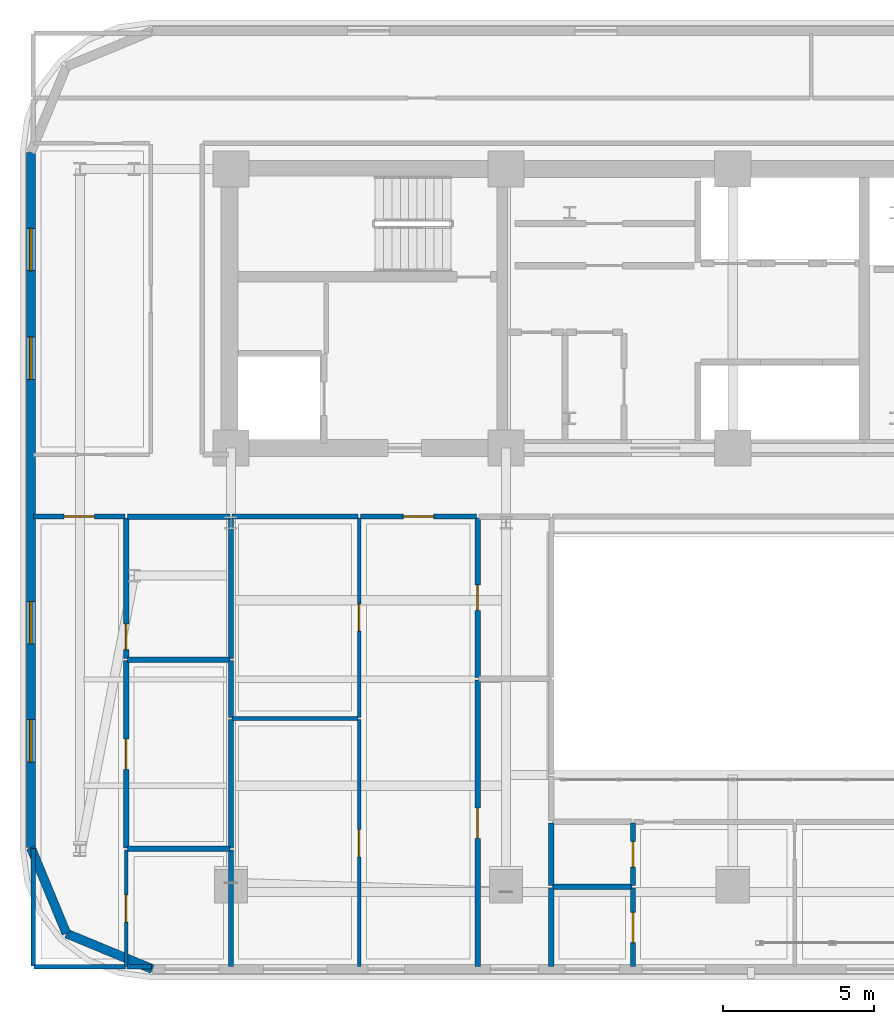
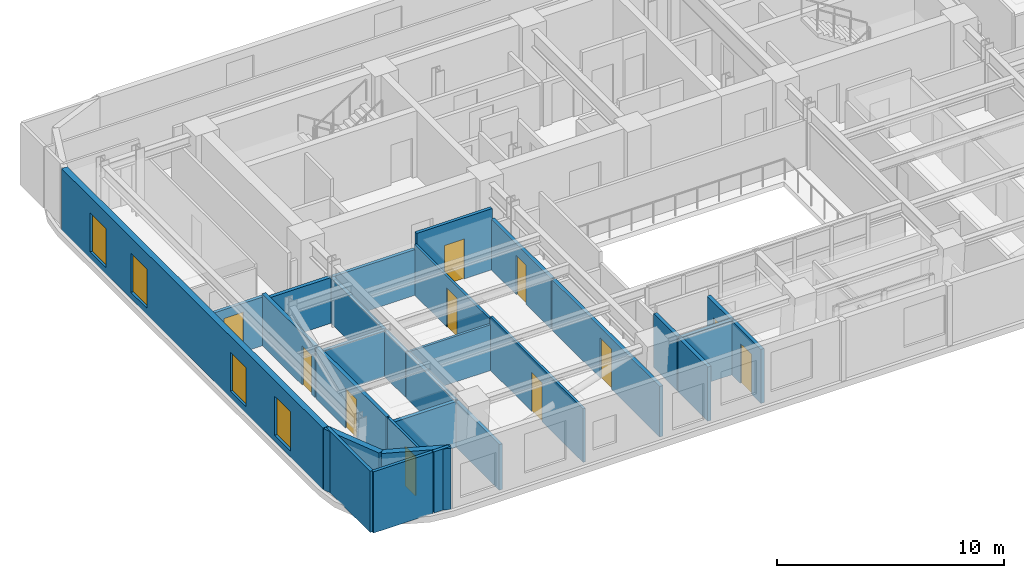
# One storey, part 6 of 13: 29 walls, 11 doors, 4 windows, 15 openings.
"""IFC4 building model written with IfcOpenShell, lengths in metres."""

from ifc_helpers import new_model, si_unit, direction, frame, frame_2d, origin, place, context, subcontext, project, spatial, rectangle, extrude, material, layer, layer_set, type_object, element, fill, save


model = new_model("IFC4")

# Units and contexts
model_context = context("Model", 3, precision=1e-05, world=origin(), true_north=direction((0.0, 1.0)))
body_context = subcontext(model_context, "Body", "Model", "MODEL_VIEW")
ifc_project = project(units=[si_unit("LENGTHUNIT", "METRE"), si_unit("AREAUNIT", "SQUARE_METRE"), si_unit("VOLUMEUNIT", "CUBIC_METRE"), si_unit("PLANEANGLEUNIT", "RADIAN"), si_unit("MASSUNIT", "GRAM", prefix="KILO")], contexts=[model_context])

# Site, building, storey
site_placement = place(None, origin())
site = spatial("IfcSite", under=ifc_project, at=site_placement, CompositionType="ELEMENT")
building_placement = place(site_placement, origin())
building = spatial("IfcBuilding", under=site, at=building_placement, Name="Zarnavel Station Tower", CompositionType="ELEMENT")
storey_placement = place(building_placement, frame((0.0, 0.0, 141.25)))
storey = spatial("IfcBuildingStorey", under=building, at=storey_placement, Name="L38", CompositionType="ELEMENT", Elevation=141.25)

# Wall, openings, windows
ifc_material_1 = material(Name="Precast concrete C45/55 (Dark Basalt Finish)", Category="masonry")
ifc_layer_1 = layer(ifc_material_1, 0.300048828125)
ifc_layer_set_1 = layer_set([ifc_layer_1], Name="EW_BASALT_300")
wall_type_1 = type_object("IfcWallType", Name="EW_BASALT_300", PredefinedType="SOLIDWALL", material=ifc_layer_set_1)
wall_1_placement = place(storey_placement, frame((5.580078125, 14.60009765625, 0.0), z_axis=(0.0, 0.0, 1.0), x_axis=(0.0, 1.0, 0.0)))
wall_1 = element("IfcWall", 1, at=wall_1_placement, inside=storey, type_object=wall_type_1, Name="L38 Exterior Basalt Masonry Frame Wall 09", PredefinedType="SOLIDWALL", context=body_context, shape_type="SweptSolid", body=[
    extrude(rectangle(XDim=23.0, YDim=0.300048828125, at=frame_2d((11.5, 0.0))), origin(), (0.0, 0.0, 1.0), 3.2900390625),
])
opening_1_placement = place(wall_1_placement, frame((15.493408203125, 0.0, 0.340087890625)))
opening_1 = element("IfcOpeningElement", 2, at=opening_1_placement, cuts=wall_1, Name="Opening WN04", PredefinedType="OPENING", context=body_context, shape_type="SweptSolid", body=[
    extrude(rectangle(XDim=1.39990234375, YDim=2.10009765625, at=frame_2d((0.699951171875, 1.050048828125))), frame((0.0, 0.159912109375, 0.0), z_axis=(0.0, -1.0, 0.0), x_axis=(1.0, 0.0, 0.0)), (0.0, 0.0, 1.0), 0.320068359375),
])
opening_2_placement = place(wall_1_placement, frame((19.086669921875, 0.0, 0.340087890625)))
opening_2 = element("IfcOpeningElement", 3, at=opening_2_placement, cuts=wall_1, Name="Opening WN04", PredefinedType="OPENING", context=body_context, shape_type="SweptSolid", body=[
    extrude(rectangle(XDim=1.39990234375, YDim=2.10009765625, at=frame_2d((0.699951171875, 1.050048828125))), frame((0.0, 0.159912109375, 0.0), z_axis=(0.0, -1.0, 0.0), x_axis=(1.0, 0.0, 0.0)), (0.0, 0.0, 1.0), 0.320068359375),
])
opening_3_placement = place(wall_1_placement, frame((2.830078125, 0.0, 0.340087890625)))
opening_3 = element("IfcOpeningElement", 4, at=opening_3_placement, cuts=wall_1, Name="Opening WN04", PredefinedType="OPENING", context=body_context, shape_type="SweptSolid", body=[
    extrude(rectangle(XDim=1.39990234375, YDim=2.10009765625, at=frame_2d((0.699951171875, 1.050048828125))), frame((0.0, 0.159912109375, 0.0), z_axis=(0.0, -1.0, 0.0), x_axis=(1.0, 0.0, 0.0)), (0.0, 0.0, 1.0), 0.320068359375),
])
opening_4_placement = place(wall_1_placement, frame((6.739990234375, 0.0, 0.340087890625)))
opening_4 = element("IfcOpeningElement", 5, at=opening_4_placement, cuts=wall_1, Name="Opening WN04", PredefinedType="OPENING", context=body_context, shape_type="SweptSolid", body=[
    extrude(rectangle(XDim=1.39990234375, YDim=2.10009765625, at=frame_2d((0.699951171875, 1.050048828125))), frame((0.0, 0.159912109375, 0.0), z_axis=(0.0, -1.0, 0.0), x_axis=(1.0, 0.0, 0.0)), (0.0, 0.0, 1.0), 0.320068359375),
])
ifc_material_2 = material(Name="Thermally Broken Black Aluminium and Low-E Dark Glass", Category="aluminium")
window_type = type_object("IfcWindowType", Name="WN_1400x2100", PartitioningType="DOUBLE_PANEL_VERTICAL", PredefinedType="WINDOW", material=ifc_material_2)
window_1_placement = place(opening_1_placement, origin())
window_1 = element("IfcWindow", 6, at=window_1_placement, inside=storey, type_object=window_type, Name="L38 Recessed Facade Window 01", OverallHeight=2.10009765625, OverallWidth=1.39990234375, PartitioningType="SINGLE_PANEL", PredefinedType="WINDOW", context=body_context, shape_type="SweptSolid", body=[
    extrude(rectangle(XDim=1.39990234375, YDim=2.10009765625, at=frame_2d((0.699951171875, 1.050048828125))), frame((0.0, 0.030029296875, 0.0), z_axis=(0.0, -1.0, 0.0), x_axis=(1.0, 0.0, 0.0)), (0.0, 0.0, 1.0), 0.06005859375),
])
fill(opening_1, window_1)
window_2_placement = place(opening_2_placement, origin())
window_2 = element("IfcWindow", 7, at=window_2_placement, inside=storey, type_object=window_type, Name="L38 Recessed Facade Window 02", OverallHeight=2.10009765625, OverallWidth=1.39990234375, PartitioningType="SINGLE_PANEL", PredefinedType="WINDOW", context=body_context, shape_type="SweptSolid", body=[
    extrude(rectangle(XDim=1.39990234375, YDim=2.10009765625, at=frame_2d((0.699951171875, 1.050048828125))), frame((0.0, 0.030029296875, 0.0), z_axis=(0.0, -1.0, 0.0), x_axis=(1.0, 0.0, 0.0)), (0.0, 0.0, 1.0), 0.06005859375),
])
fill(opening_2, window_2)
window_3_placement = place(opening_3_placement, origin())
window_3 = element("IfcWindow", 8, at=window_3_placement, inside=storey, type_object=window_type, Name="L38 Recessed Facade Window 03", OverallHeight=2.10009765625, OverallWidth=1.39990234375, PartitioningType="SINGLE_PANEL", PredefinedType="WINDOW", context=body_context, shape_type="SweptSolid", body=[
    extrude(rectangle(XDim=1.39990234375, YDim=2.10009765625, at=frame_2d((0.699951171875, 1.050048828125))), frame((0.0, 0.030029296875, 0.0), z_axis=(0.0, -1.0, 0.0), x_axis=(1.0, 0.0, 0.0)), (0.0, 0.0, 1.0), 0.06005859375),
])
fill(opening_3, window_3)
window_4_placement = place(opening_4_placement, origin())
window_4 = element("IfcWindow", 9, at=window_4_placement, inside=storey, type_object=window_type, Name="L38 Recessed Facade Window 04", OverallHeight=2.10009765625, OverallWidth=1.39990234375, PartitioningType="SINGLE_PANEL", PredefinedType="WINDOW", context=body_context, shape_type="SweptSolid", body=[
    extrude(rectangle(XDim=1.39990234375, YDim=2.10009765625, at=frame_2d((0.699951171875, 1.050048828125))), frame((0.0, 0.030029296875, 0.0), z_axis=(0.0, -1.0, 0.0), x_axis=(1.0, 0.0, 0.0)), (0.0, 0.0, 1.0), 0.06005859375),
])
fill(opening_4, window_4)

# Walls
for number, where, z_axis, x_axis, name in (
    (10, (6.75732421875, 11.75732421875, 0.0), (0.0, 0.0, 1.0), (-0.382608747773, 0.923910464346, 0.0), "L38 Exterior Basalt Masonry Frame Wall 10"),
    (11, (9.60009765625, 10.580078125, 0.0), (0.0, 0.0, 1.0), (-0.923910464346, 0.382608747773, 0.0), "L38 Exterior Basalt Masonry Frame Wall 11"),
):
    element("IfcWall", number, at=place(storey_placement, frame(where, z_axis=z_axis, x_axis=x_axis)), inside=storey, type_object=wall_type_1, Name=name, PredefinedType="SOLIDWALL", context=body_context, shape_type="SweptSolid", body=[
        extrude(rectangle(XDim=3.076904296875, YDim=0.300048828125, at=frame_2d((1.53857421875, 0.0))), origin(), (0.0, 0.0, 1.0), 3.2900390625),
    ])

# Wall, opening, door
ifc_material_3 = material(Name="Gypsum Twin-Stud Acoustic Fire Partition", Category="concrete")
ifc_layer_2 = layer(ifc_material_3, 0.159912109375)
ifc_layer_set_2 = layer_set([ifc_layer_2], Name="PT_DEMISE_160")
wall_type_2 = type_object("IfcWallType", Name="PT_DEMISE_160", PredefinedType="PARTITIONING", material=ifc_layer_set_2)
wall_2_placement = place(storey_placement, frame((5.659912109375, 25.550048828125, 0.0), z_axis=(0.0, 0.0, 1.0), x_axis=(1.0, 0.0, 0.0)))
wall_2 = element("IfcWall", 12, at=wall_2_placement, inside=storey, type_object=wall_type_2, Name="L38 Partition COR-S-UW1LV", PredefinedType="PARTITIONING", context=body_context, shape_type="SweptSolid", body=[
    extrude(rectangle(XDim=3.0341796875, YDim=0.159912109375, at=frame_2d((1.51708984375, 0.0))), origin(), (0.0, 0.0, 1.0), 2.6201171875),
])
opening_5_placement = place(wall_2_placement, frame((1.01708984375, 0.0, 0.0)))
opening_5 = element("IfcOpeningElement", 13, at=opening_5_placement, cuts=wall_2, Name="Opening FD02", PredefinedType="OPENING", context=body_context, shape_type="SweptSolid", body=[
    extrude(rectangle(XDim=1.0, YDim=2.14990234375, at=frame_2d((0.5, 1.074951171875))), frame((0.0, 0.08984375, 0.0), z_axis=(0.0, -1.0, 0.0), x_axis=(1.0, 0.0, 0.0)), (0.0, 0.0, 1.0), 0.179931640625),
])
ifc_material_4 = material(Name="Painted Galvanised Steel and Hardwood Leaf", Category="steel")
door_type_1 = type_object("IfcDoorType", Name="ID_ENTRY_1000", OperationType="NOTDEFINED", PredefinedType="DOOR", material=ifc_material_4)
door_1_placement = place(opening_5_placement, origin())
door_1 = element("IfcDoor", 14, at=door_1_placement, inside=storey, type_object=door_type_1, Name="L38 Door COR-S-UW1LV", OperationType="SINGLE_SWING_LEFT", OverallHeight=2.14990234375, OverallWidth=1.0, PredefinedType="DOOR", context=body_context, shape_type="SweptSolid", body=[
    extrude(rectangle(XDim=1.0, YDim=2.14990234375, at=frame_2d((0.5, 1.074951171875))), frame((0.0, 0.02490234375, 0.0), z_axis=(0.0, -1.0, 0.0), x_axis=(1.0, 0.0, 0.0)), (0.0, 0.0, 1.0), 0.050048828125),
])
fill(opening_5, door_1)

wall_3_placement = place(storey_placement, frame((16.47998046875, 25.550048828125, 0.0), z_axis=(0.0, 0.0, 1.0), x_axis=(1.0, 0.0, 0.0)))
wall_3 = element("IfcWall", 15, at=wall_3_placement, inside=storey, type_object=wall_type_2, Name="L38 Partition COR-S-UW2LV", PredefinedType="PARTITIONING", context=body_context, shape_type="SweptSolid", body=[
    extrude(rectangle(XDim=3.842041015625, YDim=0.159912109375, at=frame_2d((1.9208984375, 0.0))), origin(), (0.0, 0.0, 1.0), 3.2900390625),
])
opening_6_placement = place(wall_3_placement, frame((1.4208984375, 0.0, 0.0)))
opening_6 = element("IfcOpeningElement", 16, at=opening_6_placement, cuts=wall_3, Name="Opening FD02", PredefinedType="OPENING", context=body_context, shape_type="SweptSolid", body=[
    extrude(rectangle(XDim=1.0, YDim=2.14990234375, at=frame_2d((0.5, 1.074951171875))), frame((0.0, 0.08984375, 0.0), z_axis=(0.0, -1.0, 0.0), x_axis=(1.0, 0.0, 0.0)), (0.0, 0.0, 1.0), 0.179931640625),
])
door_2_placement = place(opening_6_placement, origin())
door_2 = element("IfcDoor", 17, at=door_2_placement, inside=storey, type_object=door_type_1, Name="L38 Door COR-S-UW2LV", OperationType="SINGLE_SWING_RIGHT", OverallHeight=2.14990234375, OverallWidth=1.0, PredefinedType="DOOR", context=body_context, shape_type="SweptSolid", body=[
    extrude(rectangle(XDim=1.0, YDim=2.14990234375, at=frame_2d((0.5, 1.074951171875))), frame((0.0, 0.02490234375, 0.0), z_axis=(0.0, -1.0, 0.0), x_axis=(1.0, 0.0, 0.0)), (0.0, 0.0, 1.0), 0.050048828125),
])
fill(opening_6, door_2)

# Walls
wall_4_placement = place(storey_placement, frame((12.239990234375, 25.550048828125, 0.0), z_axis=(0.0, 0.0, 1.0), x_axis=(1.0, 0.0, 0.0)))
element("IfcWall", 18, at=wall_4_placement, inside=storey, type_object=wall_type_2, Name="L38 Partition COR-S-UW2B2", PredefinedType="PARTITIONING", context=body_context, shape_type="SweptSolid", body=[
    extrude(rectangle(XDim=4.159912109375, YDim=0.159912109375, at=frame_2d((2.080078125, 0.0))), origin(), (0.0, 0.0, 1.0), 2.4560546875),
])
wall_5_placement = place(storey_placement, frame((12.199951171875, 10.659912109375, 0.0), z_axis=(0.0, 0.0, 1.0), x_axis=(0.0, 1.0, 0.0)))
element("IfcWall", 19, at=wall_5_placement, inside=storey, type_object=wall_type_2, Name="L38 Partition UW1B1-UW2B1", PredefinedType="PARTITIONING", context=body_context, shape_type="SweptSolid", body=[
    extrude(rectangle(XDim=3.85498046875, YDim=0.159912109375, at=frame_2d((1.927490234375, 0.0))), origin(), (0.0, 0.0, 1.0), 2.4560546875),
])
wall_6_placement = place(storey_placement, frame((5.68994140625, 10.659912109375, 0.0), z_axis=(0.0, 0.0, 1.0), x_axis=(1.0, 0.0, 0.0)))
element("IfcWall", 20, at=wall_6_placement, inside=storey, type_object=wall_type_2, Name="L38 Enclosure Wall UW1LV", PredefinedType="PARTITIONING", context=body_context, shape_type="SweptSolid", body=[
    extrude(rectangle(XDim=3.01416015625, YDim=0.159912109375, at=frame_2d((1.507080078125, 0.0))), origin(), (0.0, 0.0, 1.0), 3.2900390625),
])
wall_7_placement = place(storey_placement, frame((5.659912109375, 10.68994140625, 0.0), z_axis=(0.0, 0.0, 1.0), x_axis=(0.0, 1.0, 0.0)))
element("IfcWall", 21, at=wall_7_placement, inside=storey, type_object=wall_type_2, Name="L38 Enclosure Wall UW1LV", PredefinedType="PARTITIONING", context=body_context, shape_type="SweptSolid", body=[
    extrude(rectangle(XDim=3.880126953125, YDim=0.159912109375, at=frame_2d((1.93994140625, 0.0))), origin(), (0.0, 0.0, 1.0), 3.2900390625),
])
wall_8_placement = place(storey_placement, frame((8.763916015625, 10.659912109375, 0.0), z_axis=(0.0, 0.0, 1.0), x_axis=(1.0, 0.0, 0.0)))
element("IfcWall", 22, at=wall_8_placement, inside=storey, type_object=wall_type_2, Name="L38 Enclosure Wall UW1B1", PredefinedType="PARTITIONING", context=body_context, shape_type="SweptSolid", body=[
    extrude(rectangle(XDim=0.80615234375, YDim=0.159912109375, at=frame_2d((0.403076171875, 0.0))), origin(), (0.0, 0.0, 1.0), 3.2900390625),
])

# Wall, opening, door
ifc_material_5 = material(Name="Gypsum Metal-Stud Interior Partition", Category="concrete")
ifc_layer_3 = layer(ifc_material_5, 0.1201171875)
ifc_layer_set_3 = layer_set([ifc_layer_3], Name="PT_ROOM_120")
wall_type_3 = type_object("IfcWallType", Name="PT_ROOM_120", PredefinedType="PARTITIONING", material=ifc_layer_set_3)
wall_9_placement = place(storey_placement, frame((8.73388671875, 10.659912109375, 0.0), z_axis=(0.0, 0.0, 1.0), x_axis=(0.0, 1.0, 0.0)))
wall_9 = element("IfcWall", 23, at=wall_9_placement, inside=storey, type_object=wall_type_3, Name="L38 Partition UW1LV-UW1B1", PredefinedType="PARTITIONING", context=body_context, shape_type="SweptSolid", body=[
    extrude(rectangle(XDim=3.85498046875, YDim=0.1201171875, at=frame_2d((1.927490234375, 0.0))), origin(), (0.0, 0.0, 1.0), 2.77001953125),
])
opening_7_placement = place(wall_9_placement, frame((1.4775390625, 0.0, 0.0)))
opening_7 = element("IfcOpeningElement", 24, at=opening_7_placement, cuts=wall_9, Name="Opening ID01", PredefinedType="OPENING", context=body_context, shape_type="SweptSolid", body=[
    extrude(rectangle(XDim=0.89990234375, YDim=2.10009765625, at=frame_2d((0.449951171875, 1.050048828125))), frame((0.0, 0.070068359375, 0.0), z_axis=(0.0, -1.0, 0.0), x_axis=(1.0, 0.0, 0.0)), (0.0, 0.0, 1.0), 0.14013671875),
])
ifc_material_6 = material(Name="Painted Galvanised Steel and Hardwood Leaf", Category="steel")
door_type_2 = type_object("IfcDoorType", Name="ID_ROOM_900", OperationType="NOTDEFINED", PredefinedType="DOOR", material=ifc_material_6)
door_3_placement = place(opening_7_placement, origin())
door_3 = element("IfcDoor", 25, at=door_3_placement, inside=storey, type_object=door_type_2, Name="L38 Door UW1LV-UW1B1", OperationType="SINGLE_SWING_LEFT", OverallHeight=2.10009765625, OverallWidth=0.89990234375, PredefinedType="DOOR", context=body_context, shape_type="SweptSolid", body=[
    extrude(rectangle(XDim=0.89990234375, YDim=2.10009765625, at=frame_2d((0.449951171875, 1.050048828125))), frame((0.0, 0.02490234375, 0.0), z_axis=(0.0, -1.0, 0.0), x_axis=(1.0, 0.0, 0.0)), (0.0, 0.0, 1.0), 0.050048828125),
])
fill(opening_7, door_3)

wall_10_placement = place(storey_placement, frame((16.43994140625, 10.659912109375, 0.0), z_axis=(0.0, 0.0, 1.0), x_axis=(0.0, 1.0, 0.0)))
wall_10 = element("IfcWall", 26, at=wall_10_placement, inside=storey, type_object=wall_type_3, Name="L38 Partition UW2LV-UW2B1", PredefinedType="PARTITIONING", context=body_context, shape_type="SweptSolid", body=[
    extrude(rectangle(XDim=8.170166015625, YDim=0.1201171875, at=frame_2d((4.0849609375, 0.0))), origin(), (0.0, 0.0, 1.0), 2.8798828125),
])
opening_8_placement = place(wall_10_placement, frame((3.635009765625, 0.0, 0.0)))
opening_8 = element("IfcOpeningElement", 27, at=opening_8_placement, cuts=wall_10, Name="Opening ID01", PredefinedType="OPENING", context=body_context, shape_type="SweptSolid", body=[
    extrude(rectangle(XDim=0.89990234375, YDim=2.10009765625, at=frame_2d((0.449951171875, 1.050048828125))), frame((0.0, 0.070068359375, 0.0), z_axis=(0.0, -1.0, 0.0), x_axis=(1.0, 0.0, 0.0)), (0.0, 0.0, 1.0), 0.14013671875),
])
door_4_placement = place(opening_8_placement, origin())
door_4 = element("IfcDoor", 28, at=door_4_placement, inside=storey, type_object=door_type_2, Name="L38 Door UW2LV-UW2B1", OperationType="SINGLE_SWING_RIGHT", OverallHeight=2.10009765625, OverallWidth=0.89990234375, PredefinedType="DOOR", context=body_context, shape_type="SweptSolid", body=[
    extrude(rectangle(XDim=0.89990234375, YDim=2.10009765625, at=frame_2d((0.449951171875, 1.050048828125))), frame((0.0, 0.02490234375, 0.0), z_axis=(0.0, -1.0, 0.0), x_axis=(1.0, 0.0, 0.0)), (0.0, 0.0, 1.0), 0.050048828125),
])
fill(opening_8, door_4)

wall_11_placement = place(storey_placement, frame((16.43994140625, 18.909912109375, 0.0), z_axis=(0.0, 0.0, 1.0), x_axis=(0.0, 1.0, 0.0)))
wall_11 = element("IfcWall", 29, at=wall_11_placement, inside=storey, type_object=wall_type_3, Name="L38 Partition UW2LV-UW2B2", PredefinedType="PARTITIONING", context=body_context, shape_type="SweptSolid", body=[
    extrude(rectangle(XDim=6.60009765625, YDim=0.1201171875, at=frame_2d((3.300048828125, 0.0))), origin(), (0.0, 0.0, 1.0), 2.719970703125),
])
opening_9_placement = place(wall_11_placement, frame((2.85009765625, 0.0, 0.0)))
opening_9 = element("IfcOpeningElement", 30, at=opening_9_placement, cuts=wall_11, Name="Opening ID01", PredefinedType="OPENING", context=body_context, shape_type="SweptSolid", body=[
    extrude(rectangle(XDim=0.89990234375, YDim=2.10009765625, at=frame_2d((0.449951171875, 1.050048828125))), frame((0.0, 0.070068359375, 0.0), z_axis=(0.0, -1.0, 0.0), x_axis=(1.0, 0.0, 0.0)), (0.0, 0.0, 1.0), 0.14013671875),
])
door_5_placement = place(opening_9_placement, origin())
door_5 = element("IfcDoor", 31, at=door_5_placement, inside=storey, type_object=door_type_2, Name="L38 Door UW2LV-UW2B2", OperationType="SINGLE_SWING_LEFT", OverallHeight=2.10009765625, OverallWidth=0.89990234375, PredefinedType="DOOR", context=body_context, shape_type="SweptSolid", body=[
    extrude(rectangle(XDim=0.89990234375, YDim=2.10009765625, at=frame_2d((0.449951171875, 1.050048828125))), frame((0.0, 0.02490234375, 0.0), z_axis=(0.0, -1.0, 0.0), x_axis=(1.0, 0.0, 0.0)), (0.0, 0.0, 1.0), 0.050048828125),
])
fill(opening_9, door_5)

# Walls
wall_12_placement = place(storey_placement, frame((12.239990234375, 18.8701171875, 0.0), z_axis=(0.0, 0.0, 1.0), x_axis=(1.0, 0.0, 0.0)))
element("IfcWall", 32, at=wall_12_placement, inside=storey, type_object=wall_type_3, Name="L38 Partition UW2B1-UW2B2", PredefinedType="PARTITIONING", context=body_context, shape_type="SweptSolid", body=[
    extrude(rectangle(XDim=4.159912109375, YDim=0.1201171875, at=frame_2d((2.080078125, 0.0))), origin(), (0.0, 0.0, 1.0), 2.4560546875),
])
ifc_material_7 = material(Name="Moisture-Resistant Plumbing Chase Wall", Category="concrete")
ifc_layer_4 = layer(ifc_material_7, 0.179931640625)
ifc_layer_set_4 = layer_set([ifc_layer_4], Name="PW_PLUMB_180")
wall_type_4 = type_object("IfcWallType", Name="PW_PLUMB_180", PredefinedType="PLUMBINGWALL", material=ifc_layer_set_4)
wall_13_placement = place(storey_placement, frame((8.77392578125, 25.550048828125, 0.0), z_axis=(0.0, 0.0, 1.0), x_axis=(1.0, 0.0, 0.0)))
element("IfcWall", 33, at=wall_13_placement, inside=storey, type_object=wall_type_4, Name="L38 Partition COR-S-UW1BA", PredefinedType="PLUMBINGWALL", context=body_context, shape_type="SweptSolid", body=[
    extrude(rectangle(XDim=3.385986328125, YDim=0.179931640625, at=frame_2d((1.69287109375, 0.0))), origin(), (0.0, 0.0, 1.0), 2.4560546875),
])

# Wall, opening, door
wall_14_placement = place(storey_placement, frame((8.73388671875, 14.594970703125, 0.0), z_axis=(0.0, 0.0, 1.0), x_axis=(0.0, 1.0, 0.0)))
wall_14 = element("IfcWall", 34, at=wall_14_placement, inside=storey, type_object=wall_type_4, Name="L38 Partition UW1LV-UW1KT", PredefinedType="PLUMBINGWALL", context=body_context, shape_type="SweptSolid", body=[
    extrude(rectangle(XDim=6.18701171875, YDim=0.179931640625, at=frame_2d((3.093505859375, 0.0))), origin(), (0.0, 0.0, 1.0), 2.77001953125),
])
opening_10_placement = place(wall_14_placement, frame((2.593505859375, 0.0, 0.0)))
opening_10 = element("IfcOpeningElement", 35, at=opening_10_placement, cuts=wall_14, Name="Opening FD02", PredefinedType="OPENING", context=body_context, shape_type="SweptSolid", body=[
    extrude(rectangle(XDim=1.0, YDim=2.14990234375, at=frame_2d((0.5, 1.074951171875))), frame((0.0, 0.099853515625, 0.0), z_axis=(0.0, -1.0, 0.0), x_axis=(1.0, 0.0, 0.0)), (0.0, 0.0, 1.0), 0.199951171875),
])
door_6_placement = place(opening_10_placement, origin())
door_6 = element("IfcDoor", 36, at=door_6_placement, inside=storey, type_object=door_type_1, Name="L38 Door UW1LV-UW1KT", OperationType="SINGLE_SWING_RIGHT", OverallHeight=2.14990234375, OverallWidth=1.0, PredefinedType="DOOR", context=body_context, shape_type="SweptSolid", body=[
    extrude(rectangle(XDim=1.0, YDim=2.14990234375, at=frame_2d((0.5, 1.074951171875))), frame((0.0, 0.02490234375, 0.0), z_axis=(0.0, -1.0, 0.0), x_axis=(1.0, 0.0, 0.0)), (0.0, 0.0, 1.0), 0.050048828125),
])
fill(opening_10, door_6)

wall_15_placement = place(storey_placement, frame((8.73388671875, 20.862060546875, 0.0), z_axis=(0.0, 0.0, 1.0), x_axis=(0.0, 1.0, 0.0)))
wall_15 = element("IfcWall", 37, at=wall_15_placement, inside=storey, type_object=wall_type_4, Name="L38 Partition UW1LV-UW1BA", PredefinedType="PLUMBINGWALL", context=body_context, shape_type="SweptSolid", body=[
    extrude(rectangle(XDim=4.64794921875, YDim=0.179931640625, at=frame_2d((2.323974609375, 0.0))), origin(), (0.0, 0.0, 1.0), 2.77001953125),
])
opening_11_placement = place(wall_15_placement, frame((0.28662109375, 0.0, 0.0)))
opening_11 = element("IfcOpeningElement", 38, at=opening_11_placement, cuts=wall_15, Name="Opening ID02", PredefinedType="OPENING", context=body_context, shape_type="SweptSolid", body=[
    extrude(rectangle(XDim=0.85009765625, YDim=2.10009765625, at=frame_2d((0.425048828125, 1.050048828125))), frame((0.0, 0.099853515625, 0.0), z_axis=(0.0, -1.0, 0.0), x_axis=(1.0, 0.0, 0.0)), (0.0, 0.0, 1.0), 0.199951171875),
])
ifc_material_8 = material(Name="Painted Galvanised Steel and Hardwood Leaf", Category="steel")
door_type_3 = type_object("IfcDoorType", Name="ID_BATH_850", OperationType="NOTDEFINED", PredefinedType="DOOR", material=ifc_material_8)
door_7_placement = place(opening_11_placement, origin())
door_7 = element("IfcDoor", 39, at=door_7_placement, inside=storey, type_object=door_type_3, Name="L38 Door UW1LV-UW1BA", OperationType="SINGLE_SWING_LEFT", OverallHeight=2.10009765625, OverallWidth=0.85009765625, PredefinedType="DOOR", context=body_context, shape_type="SweptSolid", body=[
    extrude(rectangle(XDim=0.85009765625, YDim=2.10009765625, at=frame_2d((0.425048828125, 1.050048828125))), frame((0.0, 0.02490234375, 0.0), z_axis=(0.0, -1.0, 0.0), x_axis=(1.0, 0.0, 0.0)), (0.0, 0.0, 1.0), 0.050048828125),
])
fill(opening_11, door_7)

# Walls
for number, where, z_axis, x_axis, name in (
    (40, (8.77392578125, 14.554931640625, 0.0), (0.0, 0.0, 1.0), (1.0, 0.0, 0.0), "L38 Partition UW1B1-UW1KT"),
    (41, (8.77392578125, 20.822021484375, 0.0), (0.0, 0.0, 1.0), (1.0, 0.0, 0.0), "L38 Partition UW1KT-UW1BA"),
):
    element("IfcWall", number, at=place(storey_placement, frame(where, z_axis=z_axis, x_axis=x_axis)), inside=storey, type_object=wall_type_4, Name=name, PredefinedType="PLUMBINGWALL", context=body_context, shape_type="SweptSolid", body=[
        extrude(rectangle(XDim=3.385986328125, YDim=0.179931640625, at=frame_2d((1.69287109375, 0.0))), origin(), (0.0, 0.0, 1.0), 2.4560546875),
    ])
wall_16_placement = place(storey_placement, frame((12.199951171875, 14.594970703125, 0.0), z_axis=(0.0, 0.0, 1.0), x_axis=(0.0, 1.0, 0.0)))
element("IfcWall", 42, at=wall_16_placement, inside=storey, type_object=wall_type_4, Name="L38 Partition UW1KT-UW2B1", PredefinedType="PLUMBINGWALL", context=body_context, shape_type="SweptSolid", body=[
    extrude(rectangle(XDim=4.235107421875, YDim=0.179931640625, at=frame_2d((2.11767578125, 0.0))), origin(), (0.0, 0.0, 1.0), 2.4560546875),
])
wall_17_placement = place(storey_placement, frame((12.199951171875, 18.909912109375, 0.0), z_axis=(0.0, 0.0, 1.0), x_axis=(0.0, 1.0, 0.0)))
element("IfcWall", 43, at=wall_17_placement, inside=storey, type_object=wall_type_4, Name="L38 Partition UW1KT-UW2B2", PredefinedType="PLUMBINGWALL", context=body_context, shape_type="SweptSolid", body=[
    extrude(rectangle(XDim=1.8720703125, YDim=0.179931640625, at=frame_2d((0.93603515625, 0.0))), origin(), (0.0, 0.0, 1.0), 2.4560546875),
])
wall_18_placement = place(storey_placement, frame((12.199951171875, 20.862060546875, 0.0), z_axis=(0.0, 0.0, 1.0), x_axis=(0.0, 1.0, 0.0)))
element("IfcWall", 44, at=wall_18_placement, inside=storey, type_object=wall_type_4, Name="L38 Partition UW1BA-UW2B2", PredefinedType="PLUMBINGWALL", context=body_context, shape_type="SweptSolid", body=[
    extrude(rectangle(XDim=4.64794921875, YDim=0.179931640625, at=frame_2d((2.323974609375, 0.0))), origin(), (0.0, 0.0, 1.0), 2.4560546875),
])

# Wall, opening, door
wall_19_placement = place(storey_placement, frame((20.362060546875, 10.659912109375, 0.0), z_axis=(0.0, 0.0, 1.0), x_axis=(0.0, 1.0, 0.0)))
wall_19 = element("IfcWall", 45, at=wall_19_placement, inside=storey, type_object=wall_type_4, Name="L38 Partition UW2LV-UW2KT", PredefinedType="PLUMBINGWALL", context=body_context, shape_type="SweptSolid", body=[
    extrude(rectangle(XDim=9.489990234375, YDim=0.179931640625, at=frame_2d((4.7451171875, 0.0))), origin(), (0.0, 0.0, 1.0), 2.719970703125),
])
opening_12_placement = place(wall_19_placement, frame((4.2451171875, 0.0, 0.0)))
opening_12 = element("IfcOpeningElement", 46, at=opening_12_placement, cuts=wall_19, Name="Opening FD02", PredefinedType="OPENING", context=body_context, shape_type="SweptSolid", body=[
    extrude(rectangle(XDim=1.0, YDim=2.14990234375, at=frame_2d((0.5, 1.074951171875))), frame((0.0, 0.099853515625, 0.0), z_axis=(0.0, -1.0, 0.0), x_axis=(1.0, 0.0, 0.0)), (0.0, 0.0, 1.0), 0.199951171875),
])
door_8_placement = place(opening_12_placement, origin())
door_8 = element("IfcDoor", 47, at=door_8_placement, inside=storey, type_object=door_type_1, Name="L38 Door UW2LV-UW2KT", OperationType="SINGLE_SWING_RIGHT", OverallHeight=2.14990234375, OverallWidth=1.0, PredefinedType="DOOR", context=body_context, shape_type="SweptSolid", body=[
    extrude(rectangle(XDim=1.0, YDim=2.14990234375, at=frame_2d((0.5, 1.074951171875))), frame((0.0, 0.02490234375, 0.0), z_axis=(0.0, -1.0, 0.0), x_axis=(1.0, 0.0, 0.0)), (0.0, 0.0, 1.0), 0.050048828125),
])
fill(opening_12, door_8)

wall_20_placement = place(storey_placement, frame((20.362060546875, 20.22998046875, 0.0), z_axis=(0.0, 0.0, 1.0), x_axis=(0.0, 1.0, 0.0)))
wall_20 = element("IfcWall", 48, at=wall_20_placement, inside=storey, type_object=wall_type_4, Name="L38 Partition UW2LV-UW2BA", PredefinedType="PLUMBINGWALL", context=body_context, shape_type="SweptSolid", body=[
    extrude(rectangle(XDim=5.280029296875, YDim=0.179931640625, at=frame_2d((2.64013671875, 0.0))), origin(), (0.0, 0.0, 1.0), 2.719970703125),
])
opening_13_placement = place(wall_20_placement, frame((2.215087890625, 0.0, 0.0)))
opening_13 = element("IfcOpeningElement", 49, at=opening_13_placement, cuts=wall_20, Name="Opening ID02", PredefinedType="OPENING", context=body_context, shape_type="SweptSolid", body=[
    extrude(rectangle(XDim=0.85009765625, YDim=2.10009765625, at=frame_2d((0.425048828125, 1.050048828125))), frame((0.0, 0.099853515625, 0.0), z_axis=(0.0, -1.0, 0.0), x_axis=(1.0, 0.0, 0.0)), (0.0, 0.0, 1.0), 0.199951171875),
])
door_9_placement = place(opening_13_placement, origin())
door_9 = element("IfcDoor", 50, at=door_9_placement, inside=storey, type_object=door_type_3, Name="L38 Door UW2LV-UW2BA", OperationType="SINGLE_SWING_LEFT", OverallHeight=2.10009765625, OverallWidth=0.85009765625, PredefinedType="DOOR", context=body_context, shape_type="SweptSolid", body=[
    extrude(rectangle(XDim=0.85009765625, YDim=2.10009765625, at=frame_2d((0.425048828125, 1.050048828125))), frame((0.0, 0.02490234375, 0.0), z_axis=(0.0, -1.0, 0.0), x_axis=(1.0, 0.0, 0.0)), (0.0, 0.0, 1.0), 0.050048828125),
])
fill(opening_13, door_9)

# Walls
wall_21_placement = place(storey_placement, frame((22.800048828125, 10.659912109375, 0.0), z_axis=(0.0, 0.0, 1.0), x_axis=(0.0, 1.0, 0.0)))
element("IfcWall", 51, at=wall_21_placement, inside=storey, type_object=wall_type_4, Name="L38 Partition UW2KT-US1KT", PredefinedType="PLUMBINGWALL", context=body_context, shape_type="SweptSolid", body=[
    extrude(rectangle(XDim=2.60009765625, YDim=0.179931640625, at=frame_2d((1.300048828125, 0.0))), origin(), (0.0, 0.0, 1.0), 2.909912109375),
])
wall_22_placement = place(storey_placement, frame((22.800048828125, 13.340087890625, 0.0), z_axis=(0.0, 0.0, 1.0), x_axis=(0.0, 1.0, 0.0)))
element("IfcWall", 52, at=wall_22_placement, inside=storey, type_object=wall_type_4, Name="L38 Partition UW2KT-US1BA", PredefinedType="PLUMBINGWALL", context=body_context, shape_type="SweptSolid", body=[
    extrude(rectangle(XDim=2.06982421875, YDim=0.179931640625, at=frame_2d((1.034912109375, 0.0))), origin(), (0.0, 0.0, 1.0), 2.909912109375),
])

# Wall, opening, door
wall_23_placement = place(storey_placement, frame((25.5, 10.659912109375, 0.0), z_axis=(0.0, 0.0, 1.0), x_axis=(0.0, 1.0, 0.0)))
wall_23 = element("IfcWall", 53, at=wall_23_placement, inside=storey, type_object=wall_type_4, Name="L38 Partition US1LV-US1KT", PredefinedType="PLUMBINGWALL", context=body_context, shape_type="SweptSolid", body=[
    extrude(rectangle(XDim=2.60009765625, YDim=0.179931640625, at=frame_2d((1.300048828125, 0.0))), origin(), (0.0, 0.0, 1.0), 2.909912109375),
])
opening_14_placement = place(wall_23_placement, frame((0.800048828125, 0.0, 0.0)))
opening_14 = element("IfcOpeningElement", 54, at=opening_14_placement, cuts=wall_23, Name="Opening FD02", PredefinedType="OPENING", context=body_context, shape_type="SweptSolid", body=[
    extrude(rectangle(XDim=1.0, YDim=2.14990234375, at=frame_2d((0.5, 1.074951171875))), frame((0.0, 0.099853515625, 0.0), z_axis=(0.0, -1.0, 0.0), x_axis=(1.0, 0.0, 0.0)), (0.0, 0.0, 1.0), 0.199951171875),
])
door_10_placement = place(opening_14_placement, origin())
door_10 = element("IfcDoor", 55, at=door_10_placement, inside=storey, type_object=door_type_1, Name="L38 Door US1LV-US1KT", OperationType="SINGLE_SWING_RIGHT", OverallHeight=2.14990234375, OverallWidth=1.0, PredefinedType="DOOR", context=body_context, shape_type="SweptSolid", body=[
    extrude(rectangle(XDim=1.0, YDim=2.14990234375, at=frame_2d((0.5, 1.074951171875))), frame((0.0, 0.02490234375, 0.0), z_axis=(0.0, -1.0, 0.0), x_axis=(1.0, 0.0, 0.0)), (0.0, 0.0, 1.0), 0.050048828125),
])
fill(opening_14, door_10)

wall_24_placement = place(storey_placement, frame((25.5, 13.340087890625, 0.0), z_axis=(0.0, 0.0, 1.0), x_axis=(0.0, 1.0, 0.0)))
wall_24 = element("IfcWall", 56, at=wall_24_placement, inside=storey, type_object=wall_type_4, Name="L38 Partition US1LV-US1BA", PredefinedType="PLUMBINGWALL", context=body_context, shape_type="SweptSolid", body=[
    extrude(rectangle(XDim=2.06982421875, YDim=0.179931640625, at=frame_2d((1.034912109375, 0.0))), origin(), (0.0, 0.0, 1.0), 2.909912109375),
])
opening_15_placement = place(wall_24_placement, frame((0.610107421875, 0.0, 0.0)))
opening_15 = element("IfcOpeningElement", 57, at=opening_15_placement, cuts=wall_24, Name="Opening ID02", PredefinedType="OPENING", context=body_context, shape_type="SweptSolid", body=[
    extrude(rectangle(XDim=0.85009765625, YDim=2.10009765625, at=frame_2d((0.425048828125, 1.050048828125))), frame((0.0, 0.099853515625, 0.0), z_axis=(0.0, -1.0, 0.0), x_axis=(1.0, 0.0, 0.0)), (0.0, 0.0, 1.0), 0.199951171875),
])
door_11_placement = place(opening_15_placement, origin())
door_11 = element("IfcDoor", 58, at=door_11_placement, inside=storey, type_object=door_type_3, Name="L38 Door US1LV-US1BA", OperationType="SINGLE_SWING_LEFT", OverallHeight=2.10009765625, OverallWidth=0.85009765625, PredefinedType="DOOR", context=body_context, shape_type="SweptSolid", body=[
    extrude(rectangle(XDim=0.85009765625, YDim=2.10009765625, at=frame_2d((0.425048828125, 1.050048828125))), frame((0.0, 0.02490234375, 0.0), z_axis=(0.0, -1.0, 0.0), x_axis=(1.0, 0.0, 0.0)), (0.0, 0.0, 1.0), 0.050048828125),
])
fill(opening_15, door_11)

# Wall
wall_25_placement = place(storey_placement, frame((22.840087890625, 13.300048828125, 0.0), z_axis=(0.0, 0.0, 1.0), x_axis=(1.0, 0.0, 0.0)))
element("IfcWall", 59, at=wall_25_placement, inside=storey, type_object=wall_type_4, Name="L38 Partition US1KT-US1BA", PredefinedType="PLUMBINGWALL", context=body_context, shape_type="SweptSolid", body=[
    extrude(rectangle(XDim=2.619873046875, YDim=0.179931640625, at=frame_2d((1.31005859375, 0.0))), origin(), (0.0, 0.0, 1.0), 2.909912109375),
])

save(model, "model.ifc")
